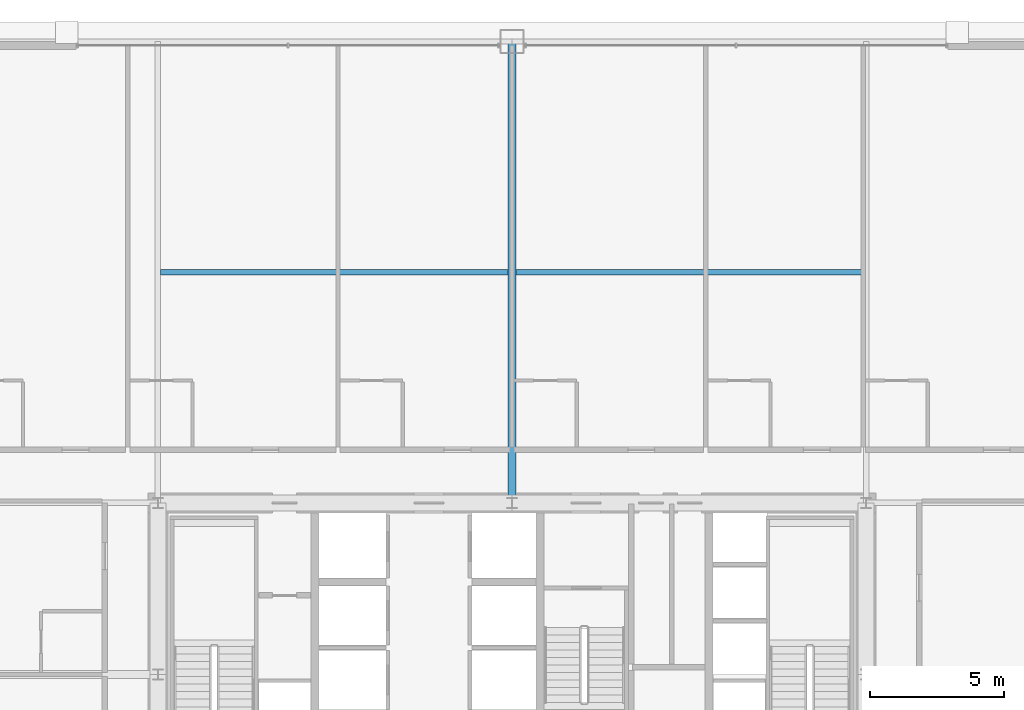
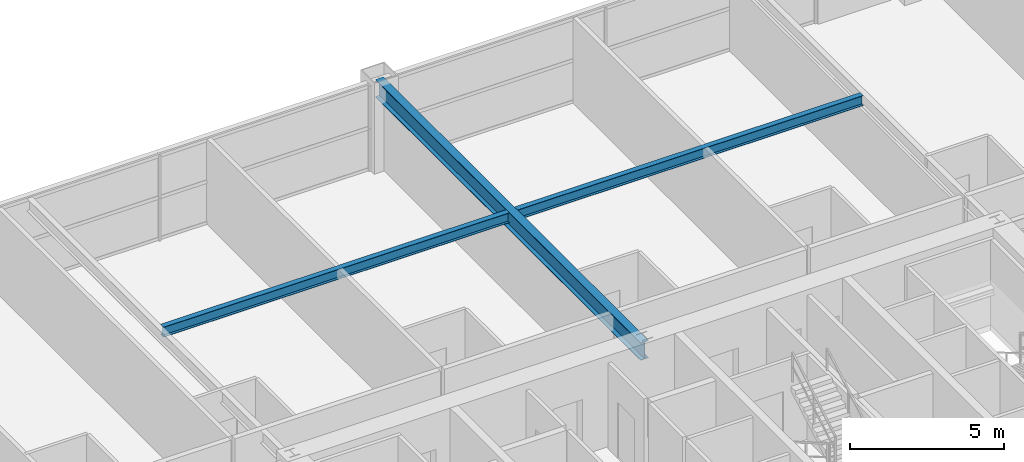
# One storey, part 26 of 39: 3 beams.
"""IFC4 building model written with IfcOpenShell, lengths in metres."""

from ifc_helpers import new_model, si_unit, direction, frame, origin, origin_2d, place, context, subcontext, project, spatial, i_section, extrude, source, transform, mapped, material, material_profile, profile_set, type_object, element, save


model = new_model("IFC4")

# Units and contexts
model_context = context("Model", 3, precision=1e-05, world=origin(), true_north=direction((0.0, 1.0)))
body_context = subcontext(model_context, "Body", "Model", "MODEL_VIEW")
ifc_project = project(units=[si_unit("LENGTHUNIT", "METRE"), si_unit("AREAUNIT", "SQUARE_METRE"), si_unit("VOLUMEUNIT", "CUBIC_METRE"), si_unit("PLANEANGLEUNIT", "RADIAN"), si_unit("MASSUNIT", "GRAM", prefix="KILO"), si_unit("THERMODYNAMICTEMPERATUREUNIT", "KELVIN"), si_unit("POWERUNIT", "WATT")], contexts=[model_context])

# Site, building, storey
site_placement = place(None, origin())
site = spatial("IfcSite", under=ifc_project, at=site_placement, CompositionType="ELEMENT")
building_placement = place(site_placement, origin())
building = spatial("IfcBuilding", under=site, at=building_placement, Name="Yuzanri Waterfront Tower", CompositionType="ELEMENT")
storey_placement = place(building_placement, frame((0.0, 0.0, 156.0)))
storey = spatial("IfcBuildingStorey", under=building, at=storey_placement, Name="L41", CompositionType="ELEMENT", Elevation=156.0)

# Beams
ifc_material_1 = material(Name="Steel Q355B", Category="steel")
ifc_material_profile_1 = material_profile(ifc_material_1, i_section(OverallWidth=0.199951171875, OverallDepth=0.39990234375, WebThickness=0.008056640625, FlangeThickness=0.012939453125, at=origin_2d()), Name="HN 400x200x8x13")
ifc_profile_set_1 = profile_set([ifc_material_profile_1], Name="Steel Q355B")
beam_type_1 = type_object("IfcBeamType", Name="Floor Joist Q355B HN 400x200", PredefinedType="JOIST", material=ifc_profile_set_1)
shared_shape_1 = source(origin(), body_context, "Body", "SweptSolid", [
    extrude(i_section(OverallWidth=0.199951171875, OverallDepth=0.39990234375, WebThickness=0.008056640625, FlangeThickness=0.012939453125, at=origin_2d()), origin(), (0.0, 0.0, 1.0), 12.9501953125),
])
for number, where, z_axis, x_axis, name in (
    (1, (23.89990234375, 40.800048828125, 3.179931640625), (1.0, 0.0, 0.0), (0.0, 1.0, 0.0), "L41 North Bay Joist W"),
    (2, (37.14990234375, 40.800048828125, 3.179931640625), (1.0, 0.0, 0.0), (0.0, 1.0, 0.0), "L41 North Bay Joist E"),
):
    element("IfcBeam", number, at=place(storey_placement, frame(where, z_axis=z_axis, x_axis=x_axis)), inside=storey, type_object=beam_type_1, Name=name, PredefinedType="JOIST", context=body_context, shape_type="MappedRepresentation", body=[
        mapped(shared_shape_1, transform((0.0, 0.0, 0.0), scale=1.0)),
    ])
ifc_material_2 = material(Name="Steel Q355B", Category="steel")
ifc_material_profile_2 = material_profile(ifc_material_2, i_section(OverallWidth=0.300048828125, OverallDepth=0.699951171875, WebThickness=0.012939453125, FlangeThickness=0.02392578125, at=origin_2d()), Name="HN 700x300x13x24")
ifc_profile_set_2 = profile_set([ifc_material_profile_2], Name="Steel Q355B")
beam_type_2 = type_object("IfcBeamType", Name="Primary Floor Girder Q355B HN 700x300", PredefinedType="BEAM", material=ifc_profile_set_2)
shared_shape_2 = source(origin(), body_context, "Body", "SweptSolid", [
    extrude(i_section(OverallWidth=0.300048828125, OverallDepth=0.699951171875, WebThickness=0.012939453125, FlangeThickness=0.02392578125, at=origin_2d()), origin(), (0.0, 0.0, 1.0), 17.199951171875),
])
beam_placement = place(storey_placement, frame((37.0, 32.199951171875, 3.030029296875), z_axis=(0.0, 1.0, 0.0), x_axis=(-1.0, 0.0, 0.0)))
element("IfcBeam", 3, at=beam_placement, inside=storey, type_object=beam_type_2, Name="L41 North Grid Girder", PredefinedType="BEAM", context=body_context, shape_type="MappedRepresentation", body=[
    mapped(shared_shape_2, transform((0.0, 0.0, 0.0), scale=1.0)),
])

save(model, "model.ifc")
